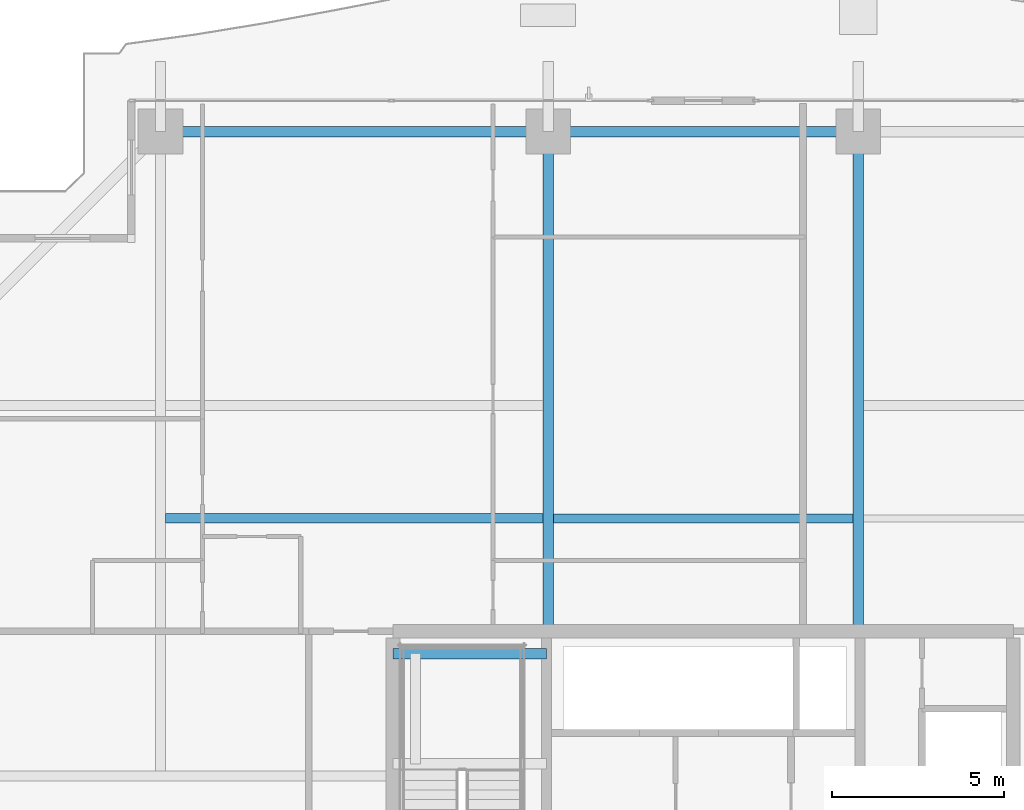
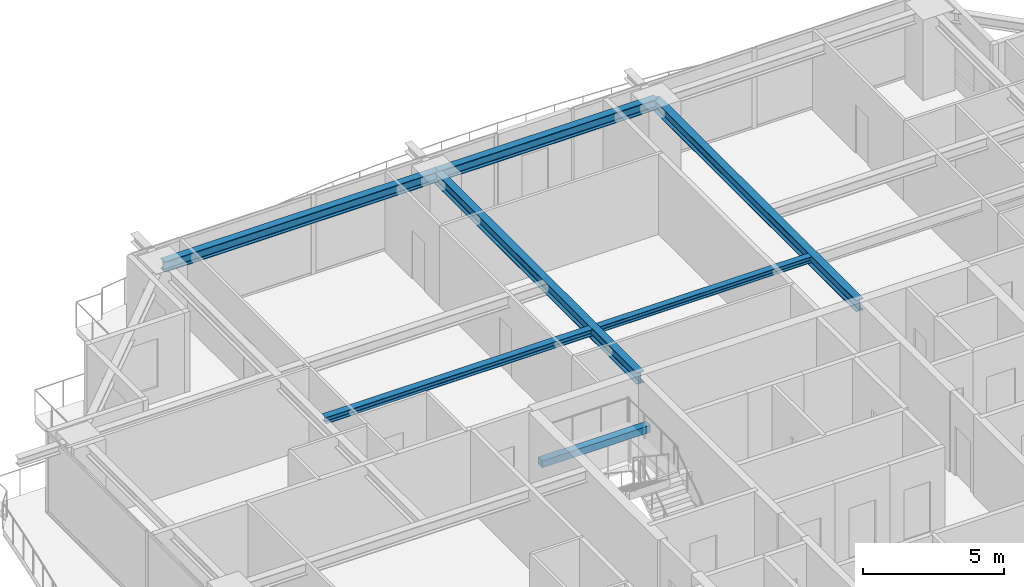
# One storey, part 20 of 39: 7 beams.
"""IFC4 building model written with IfcOpenShell, lengths in metres."""

from ifc_helpers import new_model, si_unit, direction, frame, origin, origin_2d, place, context, subcontext, project, spatial, rectangle, i_section, extrude, source, transform, mapped, material, material_profile, profile_set, type_object, element, save


model = new_model("IFC4")

# Units and contexts
model_context = context("Model", 3, precision=1e-05, world=origin(), true_north=direction((0.0, 1.0)))
body_context = subcontext(model_context, "Body", "Model", "MODEL_VIEW")
ifc_project = project(units=[si_unit("LENGTHUNIT", "METRE"), si_unit("AREAUNIT", "SQUARE_METRE"), si_unit("VOLUMEUNIT", "CUBIC_METRE"), si_unit("PLANEANGLEUNIT", "RADIAN"), si_unit("MASSUNIT", "GRAM", prefix="KILO")], contexts=[model_context])

# Site, building, storey
site_placement = place(None, origin())
site = spatial("IfcSite", under=ifc_project, at=site_placement, CompositionType="ELEMENT")
building_placement = place(site_placement, origin())
building = spatial("IfcBuilding", under=site, at=building_placement, Name="Serunith Strait Residences", CompositionType="ELEMENT")
storey_placement = place(building_placement, frame((0.0, 0.0, 168.89990234375)))
storey = spatial("IfcBuildingStorey", under=building, at=storey_placement, Name="L42", CompositionType="ELEMENT", Elevation=168.89990234375)

# Beams
ifc_material_1 = material(Name="Steel S355J2", Category="steel")
ifc_material_profile_1 = material_profile(ifc_material_1, i_section(OverallWidth=0.260009765625, OverallDepth=0.260009765625, WebThickness=0.010009765625, FlangeThickness=0.017578125, FilletRadius=0.02392578125, at=origin_2d()), Name="HEB 260")
ifc_profile_set_1 = profile_set([ifc_material_profile_1], Name="Steel S355J2")
beam_type_1 = type_object("IfcBeamType", Name="BM-HEB260", PredefinedType="JOIST", material=ifc_profile_set_1)
shared_shape_1 = source(origin(), body_context, "Body", "SweptSolid", [
    extrude(i_section(OverallWidth=0.260009765625, OverallDepth=0.260009765625, WebThickness=0.010009765625, FlangeThickness=0.017578125, FilletRadius=0.02392578125, at=origin_2d()), origin(), (0.0, 0.0, 1.0), 8.699951171875),
])
beam_1_placement = place(storey_placement, frame((28.050048828125, 36.875, 3.357177734375), z_axis=(1.0, 0.0, 0.0), x_axis=(0.0, 1.0, 0.0)))
element("IfcBeam", 1, at=beam_1_placement, inside=storey, type_object=beam_type_1, Name="L42 Composite Floor Joist 05", PredefinedType="JOIST", context=body_context, shape_type="MappedRepresentation", body=[
    mapped(shared_shape_1, transform((0.0, 0.0, 0.0), scale=1.0)),
])
ifc_material_profile_2 = material_profile(ifc_material_1, i_section(OverallWidth=0.300048828125, OverallDepth=0.449951171875, WebThickness=0.013916015625, FlangeThickness=0.02587890625, FilletRadius=0.027099609375, at=origin_2d()), Name="HEB 450")
ifc_profile_set_2 = profile_set([ifc_material_profile_2], Name="Steel S355J2")
beam_type_2 = type_object("IfcBeamType", Name="BM-HEB450", PredefinedType="BEAM", material=ifc_profile_set_2)
shared_shape_2 = source(origin(), body_context, "Body", "SweptSolid", [
    extrude(i_section(OverallWidth=0.300048828125, OverallDepth=0.449951171875, WebThickness=0.013916015625, FlangeThickness=0.02587890625, FilletRadius=0.027099609375, at=origin_2d()), origin(), (0.0, 0.0, 1.0), 9.0),
])
beam_2_placement = place(storey_placement, frame((36.89990234375, 48.10009765625, 3.26220703125), z_axis=(-1.0, 0.0, 0.0), x_axis=(0.0, -1.0, 0.0)))
element("IfcBeam", 2, at=beam_2_placement, inside=storey, type_object=beam_type_2, Name="L42 Perimeter Ring Beam 10", PredefinedType="BEAM", context=body_context, shape_type="MappedRepresentation", body=[
    mapped(shared_shape_2, transform((0.0, 0.0, 0.0), scale=1.0)),
])
ifc_material_profile_3 = material_profile(ifc_material_1, i_section(OverallWidth=0.300048828125, OverallDepth=0.5, WebThickness=0.014404296875, FlangeThickness=0.028076171875, FilletRadius=0.027099609375, at=origin_2d()), Name="HEB 500")
ifc_profile_set_3 = profile_set([ifc_material_profile_3], Name="Steel S355J2")
beam_type_3 = type_object("IfcBeamType", Name="BM-HEB500", PredefinedType="BEAM", material=ifc_profile_set_3)
shared_shape_3 = source(origin(), body_context, "Body", "SweptSolid", [
    extrude(i_section(OverallWidth=0.300048828125, OverallDepth=0.5, WebThickness=0.014404296875, FlangeThickness=0.028076171875, FilletRadius=0.027099609375, at=origin_2d()), origin(), (0.0, 0.0, 1.0), 14.5),
])
for number, where, z_axis, x_axis, name in (
    (3, (27.89990234375, 33.60009765625, 3.237060546875), (0.0, 1.0, 0.0), (-1.0, 0.0, 0.0), "L42 Primary Floor Girder TC-N2"),
    (4, (36.89990234375, 33.60009765625, 3.237060546875), (0.0, 1.0, 0.0), (-1.0, 0.0, 0.0), "L42 Primary Floor Girder TC-N3"),
):
    element("IfcBeam", number, at=place(storey_placement, frame(where, z_axis=z_axis, x_axis=x_axis)), inside=storey, type_object=beam_type_3, Name=name, PredefinedType="BEAM", context=body_context, shape_type="MappedRepresentation", body=[
        mapped(shared_shape_3, transform((0.0, 0.0, 0.0), scale=1.0)),
    ])
shared_shape_4 = source(origin(), body_context, "Body", "SweptSolid", [
    extrude(i_section(OverallWidth=0.300048828125, OverallDepth=0.449951171875, WebThickness=0.013916015625, FlangeThickness=0.02587890625, FilletRadius=0.027099609375, at=origin_2d()), origin(), (0.0, 0.0, 1.0), 11.25),
])
beam_3_placement = place(storey_placement, frame((27.89990234375, 48.10009765625, 3.26220703125), z_axis=(-1.0, 0.0, 0.0), x_axis=(0.0, -1.0, 0.0)))
element("IfcBeam", 5, at=beam_3_placement, inside=storey, type_object=beam_type_2, Name="L42 Perimeter Ring Beam 11", PredefinedType="BEAM", context=body_context, shape_type="MappedRepresentation", body=[
    mapped(shared_shape_4, transform((0.0, 0.0, 0.0), scale=1.0)),
])
ifc_material_profile_4 = material_profile(ifc_material_1, i_section(OverallWidth=0.280029296875, OverallDepth=0.280029296875, WebThickness=0.010498046875, FlangeThickness=0.01806640625, FilletRadius=0.02392578125, at=origin_2d()), Name="HEB 280")
ifc_profile_set_4 = profile_set([ifc_material_profile_4], Name="Steel S355J2")
beam_type_4 = type_object("IfcBeamType", Name="BM-HEB280", PredefinedType="JOIST", material=ifc_profile_set_4)
shared_shape_5 = source(origin(), body_context, "Body", "SweptSolid", [
    extrude(i_section(OverallWidth=0.280029296875, OverallDepth=0.280029296875, WebThickness=0.010498046875, FlangeThickness=0.01806640625, FilletRadius=0.02392578125, at=origin_2d()), origin(), (0.0, 0.0, 1.0), 10.949951171875),
])
beam_4_placement = place(storey_placement, frame((16.800048828125, 36.875, 3.34716796875), z_axis=(1.0, 0.0, 0.0), x_axis=(0.0, 1.0, 0.0)))
element("IfcBeam", 6, at=beam_4_placement, inside=storey, type_object=beam_type_4, Name="L42 Composite Floor Joist 04", PredefinedType="JOIST", context=body_context, shape_type="MappedRepresentation", body=[
    mapped(shared_shape_5, transform((0.0, 0.0, 0.0), scale=1.0)),
])
ifc_material_2 = material(Name="Concrete C60/75", Category="concrete")
ifc_material_profile_5 = material_profile(ifc_material_2, rectangle(XDim=0.300048828125, YDim=0.300048828125, at=origin_2d()), Name="RC 300x300")
ifc_profile_set_5 = profile_set([ifc_material_profile_5], Name="Concrete C60/75")
beam_type_5 = type_object("IfcBeamType", Name="BM-LAND-300x300", PredefinedType="BEAM", material=ifc_profile_set_5)
shared_shape_6 = source(origin(), body_context, "Body", "SweptSolid", [
    extrude(rectangle(XDim=0.300048828125, YDim=0.300048828125, at=origin_2d()), origin(), (0.0, 0.0, 1.0), 4.4501953125),
])
beam_5_placement = place(storey_placement, frame((23.39990234375, 32.949951171875, 1.525146484375), z_axis=(1.0, 0.0, 0.0), x_axis=(0.0, 1.0, 0.0)))
element("IfcBeam", 7, at=beam_5_placement, inside=storey, type_object=beam_type_5, Name="L42 ST-1 Landing Support Beam 2", PredefinedType="BEAM", context=body_context, shape_type="MappedRepresentation", body=[
    mapped(shared_shape_6, transform((0.0, 0.0, 0.0), scale=1.0)),
])

save(model, "model.ifc")
